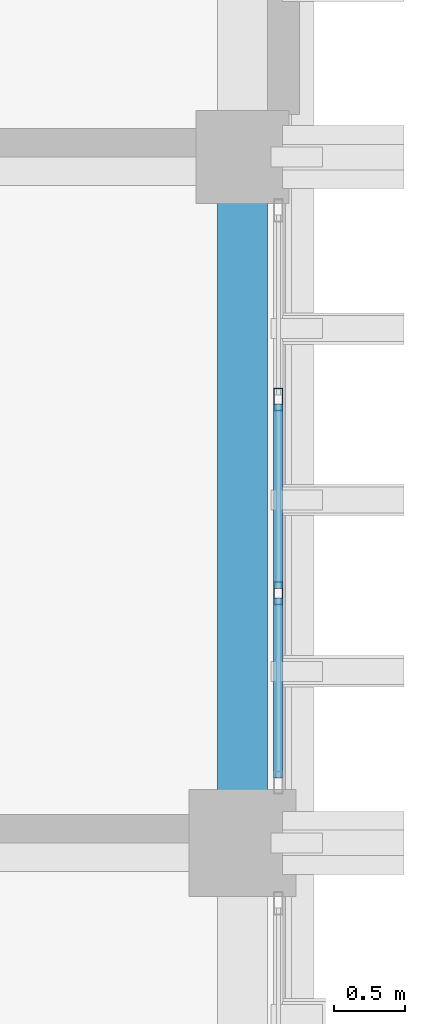
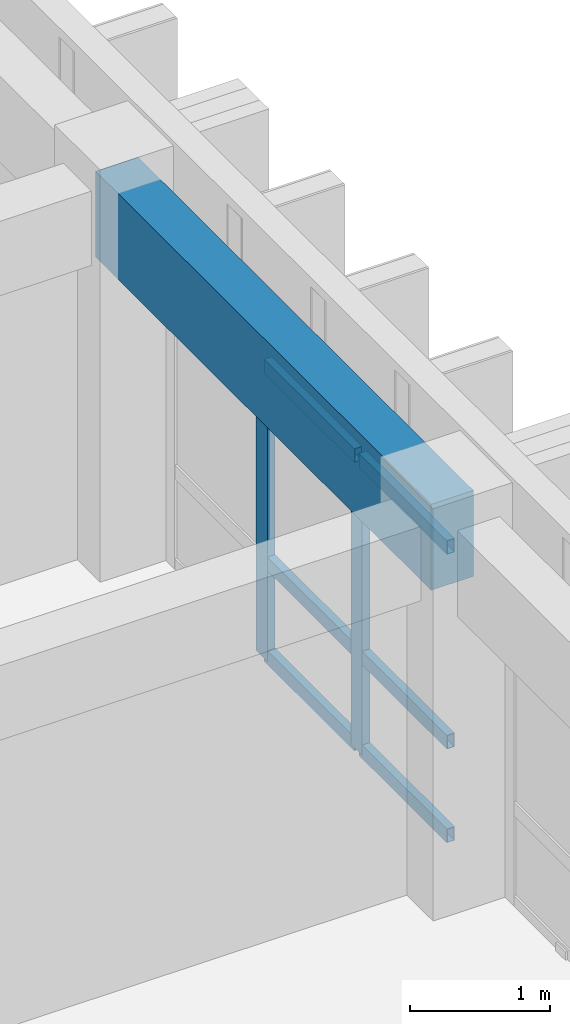
# One storey, part 30 of 64: 8 members, 1 beam, 1 element without a shape of its own.
"""IFC4 building model written with IfcOpenShell, lengths in metres."""

from ifc_helpers import new_model, si_unit, direction, frame, origin, origin_2d, place, context, subcontext, project, spatial, rectangle, hollow_rectangle, extrude, material, layer, layer_set, material_profile, profile_set, type_object, element, aggregate, save


model = new_model("IFC4")

# Units and contexts
model_context = context("Model", 3, precision=1e-05, world=origin(), true_north=direction((0.0, 1.0)))
body_context = subcontext(model_context, "Body", "Model", "MODEL_VIEW")
ifc_project = project(units=[si_unit("LENGTHUNIT", "METRE"), si_unit("AREAUNIT", "SQUARE_METRE"), si_unit("VOLUMEUNIT", "CUBIC_METRE"), si_unit("PLANEANGLEUNIT", "RADIAN"), si_unit("MASSUNIT", "GRAM", prefix="KILO")], contexts=[model_context])

# Site, building, storey
site_placement = place(None, origin())
site = spatial("IfcSite", under=ifc_project, at=site_placement, CompositionType="ELEMENT")
building_placement = place(site_placement, origin())
building = spatial("IfcBuilding", under=site, at=building_placement, Name="Nakhvara Creek Congress Hotel", CompositionType="ELEMENT")
storey_placement = place(building_placement, frame((0.0, 0.0, 28.199951171875)))
storey = spatial("IfcBuildingStorey", under=building, at=storey_placement, Name="L06", CompositionType="ELEMENT", Elevation=28.199951171875)

# Beam
ifc_material_1 = material(Name="Concrete C40/50", Category="concrete")
ifc_material_profile_1 = material_profile(ifc_material_1, rectangle(XDim=0.35009765625, YDim=0.75, at=origin_2d()), Name="RC-SPANDREL 350x750", Category="LoadBearing")
ifc_profile_set_1 = profile_set([ifc_material_profile_1], Name="Concrete C40/50")
beam_type = type_object("IfcBeamType", Name="BM-SPN-350X750", PredefinedType="SPANDREL", material=ifc_profile_set_1)
beam_placement = place(storey_placement, frame((179.35009765625, 86.39990234375, 2.965087890625), z_axis=(0.0, 1.0, 0.0), x_axis=(-1.0, 0.0, 0.0)))
element("IfcBeam", 1, at=beam_placement, inside=storey, type_object=beam_type, Name="Beam SP1-L06-2285", PredefinedType="SPANDREL", context=body_context, shape_type="SweptSolid", body=[
    extrude(rectangle(XDim=0.35009765625, YDim=0.75, at=origin_2d()), origin(), (0.0, 0.0, 1.0), 4.800048828125),
])

# Curtain wall, members
ifc_material_2 = material(Name="Bronze-anodised aluminium AW-6063-T6 and double-silver low-E glass", Category="aluminium")
ifc_layer = layer(ifc_material_2, 0.199951171875)
ifc_layer_set = layer_set([ifc_layer], Name="Bronze-anodised aluminium AW-6063-T6 and double-silver low-E glass")
curtain_wall_type = type_object("IfcCurtainWallType", Name="CW-HTL-UNIT", PredefinedType="USERDEFINED", material=ifc_layer_set)
curtain_wall_placement = place(storey_placement, origin())
curtain_wall = element("IfcCurtainWall", 2, at=curtain_wall_placement, inside=storey, type_object=curtain_wall_type, Name="Curtain Wall CW243", ObjectType="UNITISED", PredefinedType="USERDEFINED")
ifc_material_3 = material(Name="Bronze-anodised aluminium AW-6063-T6", Category="aluminium")
ifc_material_profile_2 = material_profile(ifc_material_3, hollow_rectangle(XDim=0.06494140625, YDim=0.159912109375, WallThickness=0.00390625, at=origin_2d()), Name="ALU-MULL 65x160x4", Category="LoadBearing")
ifc_profile_set_2 = profile_set([ifc_material_profile_2], Name="Bronze-anodised aluminium AW-6063-T6")
member_type_1 = type_object("IfcMemberType", Name="CW-MULL-160", PredefinedType="MULLION", material=ifc_profile_set_2)
member_1_placement = place(storey_placement, frame((179.60009765625, 89.50341796875, 0.0), z_axis=(0.0, 0.0, 1.0), x_axis=(1.0, 0.0, 0.0)))
member_1 = element("IfcMember", 3, at=member_1_placement, type_object=member_type_1, Name="CW243 mullion 2", PredefinedType="MULLION", context=body_context, shape_type="SweptSolid", body=[
    extrude(hollow_rectangle(XDim=0.06494140625, YDim=0.159912109375, WallThickness=0.00390625, at=origin_2d()), origin(), (0.0, 0.0, 1.0), 2.58203125),
])
member_2_placement = place(storey_placement, frame((179.60009765625, 88.146728515625, 0.0), z_axis=(0.0, 0.0, 1.0), x_axis=(1.0, 0.0, 0.0)))
member_2 = element("IfcMember", 4, at=member_2_placement, type_object=member_type_1, Name="CW243 mullion 3", PredefinedType="MULLION", context=body_context, shape_type="SweptSolid", body=[
    extrude(hollow_rectangle(XDim=0.06494140625, YDim=0.159912109375, WallThickness=0.00390625, at=origin_2d()), origin(), (0.0, 0.0, 1.0), 2.58203125),
])
ifc_material_profile_3 = material_profile(ifc_material_3, hollow_rectangle(XDim=0.06494140625, YDim=0.1201171875, WallThickness=0.00390625, at=origin_2d()), Name="ALU-TRAN 65x120x4", Category="LoadBearing")
ifc_profile_set_3 = profile_set([ifc_material_profile_3], Name="Bronze-anodised aluminium AW-6063-T6")
member_type_2 = type_object("IfcMemberType", Name="CW-TRAN-120", PredefinedType="USERDEFINED", material=ifc_profile_set_3)
member_3_placement = place(storey_placement, frame((179.60009765625, 89.470947265625, 0.032470703125), z_axis=(0.0, -1.0, 0.0), x_axis=(1.0, 0.0, 0.0)))
member_3 = element("IfcMember", 5, at=member_3_placement, type_object=member_type_2, Name="CW243 transom 2.1", ObjectType="TRANSOM", PredefinedType="USERDEFINED", context=body_context, shape_type="SweptSolid", body=[
    extrude(hollow_rectangle(XDim=0.06494140625, YDim=0.1201171875, WallThickness=0.00390625, at=origin_2d()), origin(), (0.0, 0.0, 1.0), 1.291748046875),
])
member_4_placement = place(storey_placement, frame((179.60009765625, 89.470947265625, 0.85009765625), z_axis=(0.0, -1.0, 0.0), x_axis=(1.0, 0.0, 0.0)))
member_4 = element("IfcMember", 6, at=member_4_placement, type_object=member_type_2, Name="CW243 transom 2.2", ObjectType="TRANSOM", PredefinedType="USERDEFINED", context=body_context, shape_type="SweptSolid", body=[
    extrude(hollow_rectangle(XDim=0.06494140625, YDim=0.1201171875, WallThickness=0.00390625, at=origin_2d()), origin(), (0.0, 0.0, 1.0), 1.291748046875),
])
member_5_placement = place(storey_placement, frame((179.60009765625, 89.470947265625, 2.549560546875), z_axis=(0.0, -1.0, 0.0), x_axis=(1.0, 0.0, 0.0)))
member_5 = element("IfcMember", 7, at=member_5_placement, type_object=member_type_2, Name="CW243 transom 2.3", ObjectType="TRANSOM", PredefinedType="USERDEFINED", context=body_context, shape_type="SweptSolid", body=[
    extrude(hollow_rectangle(XDim=0.06494140625, YDim=0.1201171875, WallThickness=0.00390625, at=origin_2d()), origin(), (0.0, 0.0, 1.0), 1.291748046875),
])
member_6_placement = place(storey_placement, frame((179.60009765625, 88.1142578125, 0.032470703125), z_axis=(0.0, -1.0, 0.0), x_axis=(1.0, 0.0, 0.0)))
member_6 = element("IfcMember", 8, at=member_6_placement, type_object=member_type_2, Name="CW243 transom 3.1", ObjectType="TRANSOM", PredefinedType="USERDEFINED", context=body_context, shape_type="SweptSolid", body=[
    extrude(hollow_rectangle(XDim=0.06494140625, YDim=0.1201171875, WallThickness=0.00390625, at=origin_2d()), origin(), (0.0, 0.0, 1.0), 1.25927734375),
])
member_7_placement = place(storey_placement, frame((179.60009765625, 88.1142578125, 0.85009765625), z_axis=(0.0, -1.0, 0.0), x_axis=(1.0, 0.0, 0.0)))
member_7 = element("IfcMember", 9, at=member_7_placement, type_object=member_type_2, Name="CW243 transom 3.2", ObjectType="TRANSOM", PredefinedType="USERDEFINED", context=body_context, shape_type="SweptSolid", body=[
    extrude(hollow_rectangle(XDim=0.06494140625, YDim=0.1201171875, WallThickness=0.00390625, at=origin_2d()), origin(), (0.0, 0.0, 1.0), 1.25927734375),
])
member_8_placement = place(storey_placement, frame((179.60009765625, 88.1142578125, 2.549560546875), z_axis=(0.0, -1.0, 0.0), x_axis=(1.0, 0.0, 0.0)))
member_8 = element("IfcMember", 10, at=member_8_placement, type_object=member_type_2, Name="CW243 transom 3.3", ObjectType="TRANSOM", PredefinedType="USERDEFINED", context=body_context, shape_type="SweptSolid", body=[
    extrude(hollow_rectangle(XDim=0.06494140625, YDim=0.1201171875, WallThickness=0.00390625, at=origin_2d()), origin(), (0.0, 0.0, 1.0), 1.25927734375),
])
aggregate(curtain_wall, [member_1, member_2, member_3, member_4, member_5, member_6, member_7, member_8])

save(model, "model.ifc")
